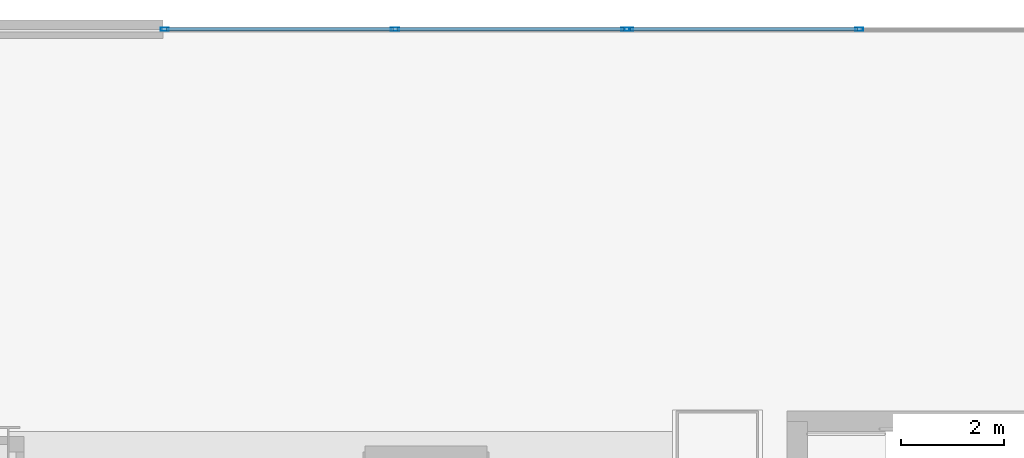
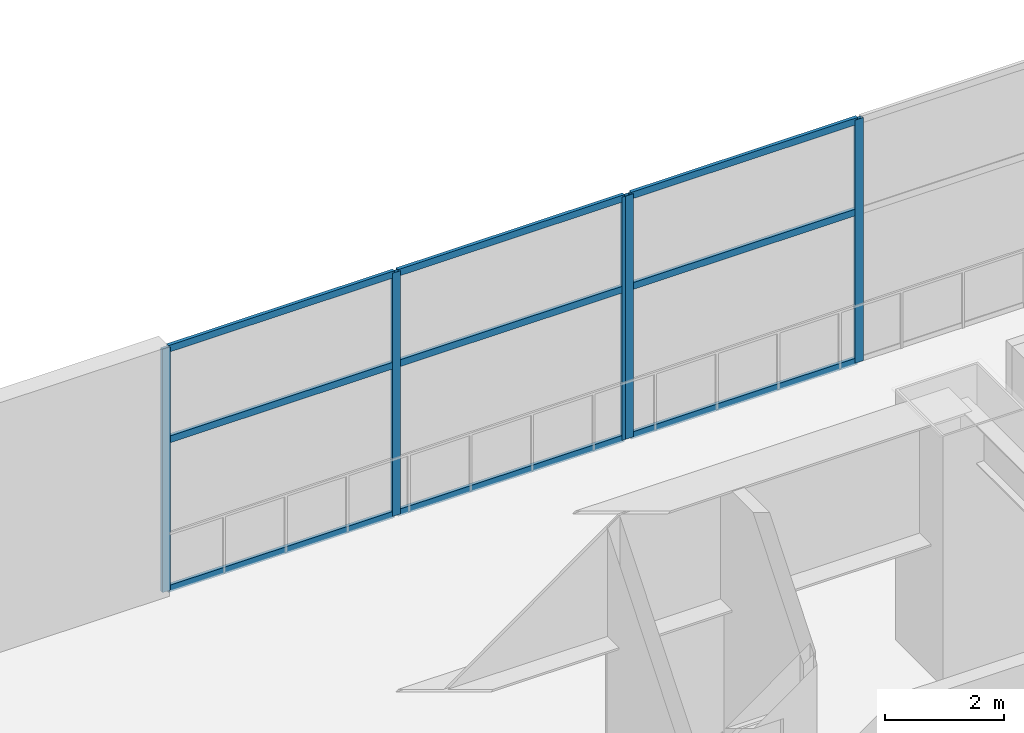
# One storey, part 6 of 29: 14 members, 2 elements without a shape of their own.
"""IFC4 building model written with IfcOpenShell, lengths in metres."""

from ifc_helpers import new_model, si_unit, direction, frame, origin, origin_2d, place, context, subcontext, project, spatial, hollow_rectangle, extrude, material, layer, layer_set, material_profile, profile_set, type_object, element, aggregate, save


model = new_model("IFC4")

# Units and contexts
model_context = context("Model", 3, precision=1e-05, world=origin(), true_north=direction((0.0, 1.0)))
body_context = subcontext(model_context, "Body", "Model", "MODEL_VIEW")
ifc_project = project(units=[si_unit("LENGTHUNIT", "METRE"), si_unit("AREAUNIT", "SQUARE_METRE"), si_unit("VOLUMEUNIT", "CUBIC_METRE"), si_unit("PLANEANGLEUNIT", "RADIAN"), si_unit("MASSUNIT", "GRAM", prefix="KILO")], contexts=[model_context])

# Site, building, storey
site_placement = place(None, origin())
site = spatial("IfcSite", under=ifc_project, at=site_placement, CompositionType="ELEMENT")
building_placement = place(site_placement, origin())
building = spatial("IfcBuilding", under=site, at=building_placement, Name="Haevon Station Towers", CompositionType="ELEMENT")
storey_placement = place(building_placement, frame((0.0, 0.0, 25.199951171875)))
storey = spatial("IfcBuildingStorey", under=building, at=storey_placement, Name="L05", CompositionType="ELEMENT", Elevation=25.199951171875)

# Curtain wall, members
ifc_material_1 = material(Name="Anodised aluminium and Low-E double glazing", Category="aluminium")
ifc_layer = layer(ifc_material_1, 0.179931640625)
ifc_layer_set = layer_set([ifc_layer], Name="Anodised aluminium and Low-E double glazing")
curtain_wall_type = type_object("IfcCurtainWallType", Name="CW-SYS3", PredefinedType="NOTDEFINED", material=ifc_layer_set)
curtain_wall_1_placement = place(storey_placement, origin())
curtain_wall_1 = element("IfcCurtainWall", 1, at=curtain_wall_1_placement, inside=storey, type_object=curtain_wall_type, Name="L05 Curtain Wall CW-POD-L05-N1", PredefinedType="NOTDEFINED")
ifc_material_2 = material(Name="Anodised aluminium 6063-T6", Category="aluminium")
ifc_material_profile_1 = material_profile(ifc_material_2, hollow_rectangle(XDim=0.06494140625, YDim=0.159912109375, WallThickness=0.00390625, at=origin_2d()), Name="CWM-160x65x4")
ifc_profile_set_1 = profile_set([ifc_material_profile_1], Name="Anodised aluminium 6063-T6")
member_type_1 = type_object("IfcMemberType", Name="CWM-160", PredefinedType="MULLION", material=ifc_profile_set_1)
member_1_placement = place(storey_placement, frame((54.032470703125, 56.199951171875, 0.0), z_axis=(0.0, 0.0, 1.0), x_axis=(0.0, 1.0, 0.0)))
member_1 = element("IfcMember", 2, at=member_1_placement, type_object=member_type_1, Name="CW-SYS3 mullion 1", PredefinedType="MULLION", context=body_context, shape_type="SweptSolid", body=[
    extrude(hollow_rectangle(XDim=0.06494140625, YDim=0.159912109375, WallThickness=0.00390625, at=origin_2d()), origin(), (0.0, 0.0, 1.0), 5.0),
])
member_2_placement = place(storey_placement, frame((58.5, 56.199951171875, 0.0), z_axis=(0.0, 0.0, 1.0), x_axis=(0.0, 1.0, 0.0)))
member_2 = element("IfcMember", 3, at=member_2_placement, type_object=member_type_1, Name="CW-SYS3 mullion 2", PredefinedType="MULLION", context=body_context, shape_type="SweptSolid", body=[
    extrude(hollow_rectangle(XDim=0.06494140625, YDim=0.159912109375, WallThickness=0.00390625, at=origin_2d()), origin(), (0.0, 0.0, 1.0), 5.0),
])
member_3_placement = place(storey_placement, frame((62.967529296875, 56.199951171875, 0.0), z_axis=(0.0, 0.0, 1.0), x_axis=(0.0, 1.0, 0.0)))
member_3 = element("IfcMember", 4, at=member_3_placement, type_object=member_type_1, Name="CW-SYS3 mullion 3", PredefinedType="MULLION", context=body_context, shape_type="SweptSolid", body=[
    extrude(hollow_rectangle(XDim=0.06494140625, YDim=0.159912109375, WallThickness=0.00390625, at=origin_2d()), origin(), (0.0, 0.0, 1.0), 5.0),
])

curtain_wall_2_placement = place(storey_placement, origin())
curtain_wall_2 = element("IfcCurtainWall", 5, at=curtain_wall_2_placement, inside=storey, type_object=curtain_wall_type, Name="L05 Curtain Wall CW-POD-L05-N2", PredefinedType="NOTDEFINED")
member_4_placement = place(storey_placement, frame((63.032470703125, 56.199951171875, 0.0), z_axis=(0.0, 0.0, 1.0), x_axis=(0.0, 1.0, 0.0)))
member_4 = element("IfcMember", 6, at=member_4_placement, type_object=member_type_1, Name="CW-SYS3 mullion 1", PredefinedType="MULLION", context=body_context, shape_type="SweptSolid", body=[
    extrude(hollow_rectangle(XDim=0.06494140625, YDim=0.159912109375, WallThickness=0.00390625, at=origin_2d()), origin(), (0.0, 0.0, 1.0), 5.0),
])
member_5_placement = place(storey_placement, frame((67.5, 56.199951171875, 0.0), z_axis=(0.0, 0.0, 1.0), x_axis=(0.0, 1.0, 0.0)))
member_5 = element("IfcMember", 7, at=member_5_placement, type_object=member_type_1, Name="CW-SYS3 mullion 2", PredefinedType="MULLION", context=body_context, shape_type="SweptSolid", body=[
    extrude(hollow_rectangle(XDim=0.06494140625, YDim=0.159912109375, WallThickness=0.00390625, at=origin_2d()), origin(), (0.0, 0.0, 1.0), 5.0),
])

# Member
ifc_material_profile_2 = material_profile(ifc_material_2, hollow_rectangle(XDim=0.06494140625, YDim=0.139892578125, WallThickness=0.00341796875, at=origin_2d()), Name="CWT-140x65x3.5")
ifc_profile_set_2 = profile_set([ifc_material_profile_2], Name="Anodised aluminium 6063-T6")
member_type_2 = type_object("IfcMemberType", Name="CWT-140", PredefinedType="USERDEFINED", material=ifc_profile_set_2)
member_6_placement = place(storey_placement, frame((54.06494140625, 56.199951171875, 0.032470703125), z_axis=(1.0, 0.0, 0.0), x_axis=(0.0, 1.0, 0.0)))
member_6 = element("IfcMember", 8, at=member_6_placement, type_object=member_type_2, Name="CW-SYS3 transom 1.1", ObjectType="TRANSOM", PredefinedType="USERDEFINED", context=body_context, shape_type="SweptSolid", body=[
    extrude(hollow_rectangle(XDim=0.06494140625, YDim=0.139892578125, WallThickness=0.00341796875, at=origin_2d()), origin(), (0.0, 0.0, 1.0), 4.402587890625),
])

member_7_placement = place(storey_placement, frame((54.06494140625, 56.199951171875, 3.10009765625), z_axis=(1.0, 0.0, 0.0), x_axis=(0.0, 1.0, 0.0)))
member_7 = element("IfcMember", 9, at=member_7_placement, type_object=member_type_2, Name="CW-SYS3 transom 1.2", ObjectType="TRANSOM", PredefinedType="USERDEFINED", context=body_context, shape_type="SweptSolid", body=[
    extrude(hollow_rectangle(XDim=0.06494140625, YDim=0.139892578125, WallThickness=0.00341796875, at=origin_2d()), origin(), (0.0, 0.0, 1.0), 4.402587890625),
])

member_8_placement = place(storey_placement, frame((54.06494140625, 56.199951171875, 4.967529296875), z_axis=(1.0, 0.0, 0.0), x_axis=(0.0, 1.0, 0.0)))
member_8 = element("IfcMember", 10, at=member_8_placement, type_object=member_type_2, Name="CW-SYS3 transom 1.3", ObjectType="TRANSOM", PredefinedType="USERDEFINED", context=body_context, shape_type="SweptSolid", body=[
    extrude(hollow_rectangle(XDim=0.06494140625, YDim=0.139892578125, WallThickness=0.00341796875, at=origin_2d()), origin(), (0.0, 0.0, 1.0), 4.402587890625),
])

member_9_placement = place(storey_placement, frame((58.532470703125, 56.199951171875, 0.032470703125), z_axis=(1.0, 0.0, 0.0), x_axis=(0.0, 1.0, 0.0)))
member_9 = element("IfcMember", 11, at=member_9_placement, type_object=member_type_2, Name="CW-SYS3 transom 2.1", ObjectType="TRANSOM", PredefinedType="USERDEFINED", context=body_context, shape_type="SweptSolid", body=[
    extrude(hollow_rectangle(XDim=0.06494140625, YDim=0.139892578125, WallThickness=0.00341796875, at=origin_2d()), origin(), (0.0, 0.0, 1.0), 4.402587890625),
])

member_10_placement = place(storey_placement, frame((58.532470703125, 56.199951171875, 3.10009765625), z_axis=(1.0, 0.0, 0.0), x_axis=(0.0, 1.0, 0.0)))
member_10 = element("IfcMember", 12, at=member_10_placement, type_object=member_type_2, Name="CW-SYS3 transom 2.2", ObjectType="TRANSOM", PredefinedType="USERDEFINED", context=body_context, shape_type="SweptSolid", body=[
    extrude(hollow_rectangle(XDim=0.06494140625, YDim=0.139892578125, WallThickness=0.00341796875, at=origin_2d()), origin(), (0.0, 0.0, 1.0), 4.402587890625),
])

member_11_placement = place(storey_placement, frame((58.532470703125, 56.199951171875, 4.967529296875), z_axis=(1.0, 0.0, 0.0), x_axis=(0.0, 1.0, 0.0)))
member_11 = element("IfcMember", 13, at=member_11_placement, type_object=member_type_2, Name="CW-SYS3 transom 2.3", ObjectType="TRANSOM", PredefinedType="USERDEFINED", context=body_context, shape_type="SweptSolid", body=[
    extrude(hollow_rectangle(XDim=0.06494140625, YDim=0.139892578125, WallThickness=0.00341796875, at=origin_2d()), origin(), (0.0, 0.0, 1.0), 4.402587890625),
])

aggregate(curtain_wall_1, [member_1, member_2, member_3, member_6, member_7, member_8, member_9, member_10, member_11])

member_12_placement = place(storey_placement, frame((63.06494140625, 56.199951171875, 0.032470703125), z_axis=(1.0, 0.0, 0.0), x_axis=(0.0, 1.0, 0.0)))
member_12 = element("IfcMember", 14, at=member_12_placement, type_object=member_type_2, Name="CW-SYS3 transom 1.1", ObjectType="TRANSOM", PredefinedType="USERDEFINED", context=body_context, shape_type="SweptSolid", body=[
    extrude(hollow_rectangle(XDim=0.06494140625, YDim=0.139892578125, WallThickness=0.00341796875, at=origin_2d()), origin(), (0.0, 0.0, 1.0), 4.402587890625),
])

member_13_placement = place(storey_placement, frame((63.06494140625, 56.199951171875, 3.10009765625), z_axis=(1.0, 0.0, 0.0), x_axis=(0.0, 1.0, 0.0)))
member_13 = element("IfcMember", 15, at=member_13_placement, type_object=member_type_2, Name="CW-SYS3 transom 1.2", ObjectType="TRANSOM", PredefinedType="USERDEFINED", context=body_context, shape_type="SweptSolid", body=[
    extrude(hollow_rectangle(XDim=0.06494140625, YDim=0.139892578125, WallThickness=0.00341796875, at=origin_2d()), origin(), (0.0, 0.0, 1.0), 4.402587890625),
])

member_14_placement = place(storey_placement, frame((63.06494140625, 56.199951171875, 4.967529296875), z_axis=(1.0, 0.0, 0.0), x_axis=(0.0, 1.0, 0.0)))
member_14 = element("IfcMember", 16, at=member_14_placement, type_object=member_type_2, Name="CW-SYS3 transom 1.3", ObjectType="TRANSOM", PredefinedType="USERDEFINED", context=body_context, shape_type="SweptSolid", body=[
    extrude(hollow_rectangle(XDim=0.06494140625, YDim=0.139892578125, WallThickness=0.00341796875, at=origin_2d()), origin(), (0.0, 0.0, 1.0), 4.402587890625),
])

aggregate(curtain_wall_2, [member_4, member_5, member_12, member_13, member_14])

save(model, "model.ifc")
